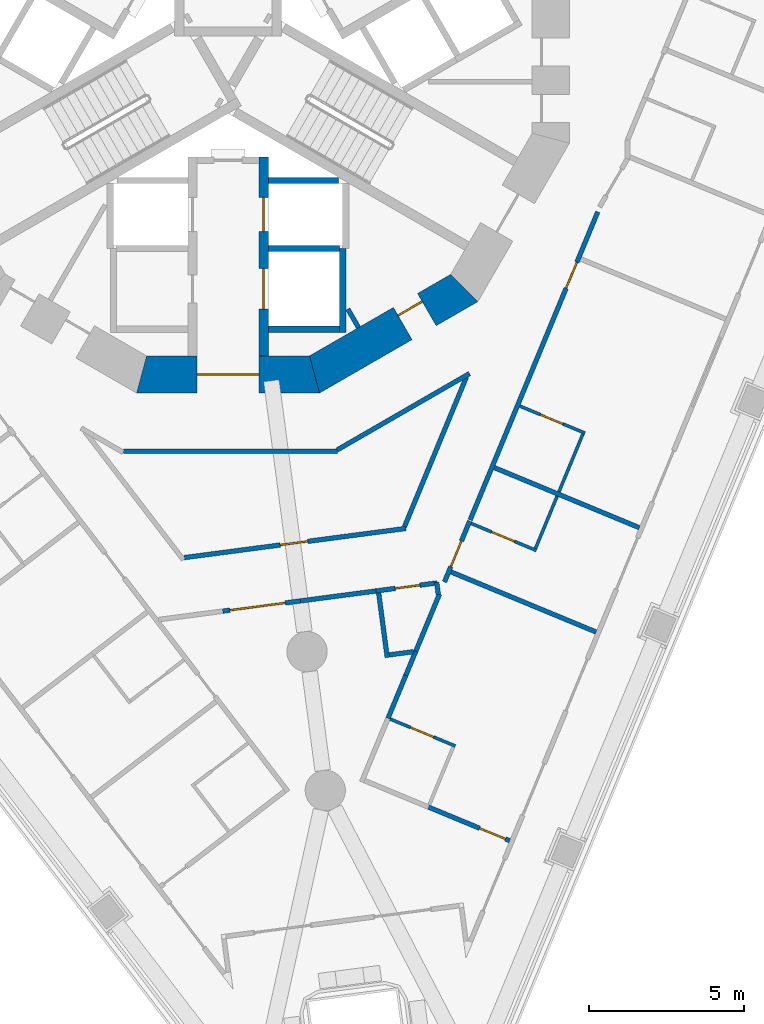
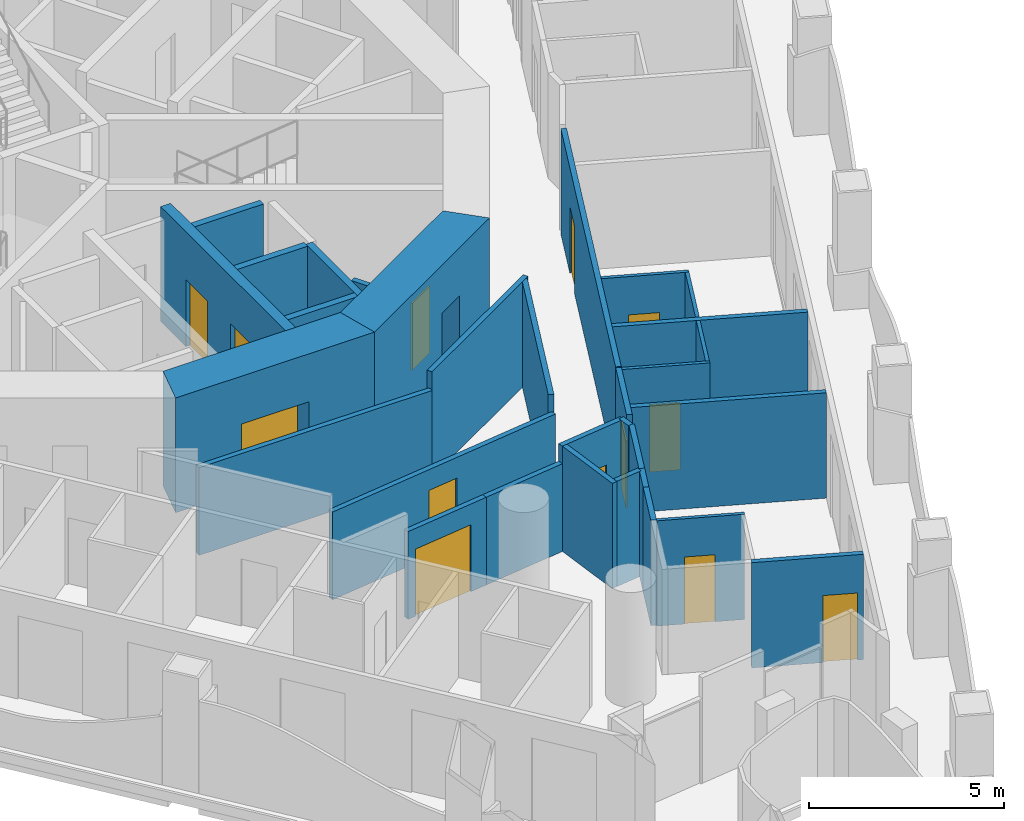
# One storey, part 4 of 19: 31 walls, 13 doors, 13 openings.
"""IFC4 building model written with IfcOpenShell, lengths in metres."""

from ifc_helpers import new_model, si_unit, direction, frame, frame_2d, origin, place, context, subcontext, project, spatial, polyline, rectangle, outline, extrude, material, layer, layer_set, type_object, element, fill, save


model = new_model("IFC4")

# Units and contexts
model_context = context("Model", 3, precision=1e-05, world=origin(), true_north=direction((0.0, 1.0)))
body_context = subcontext(model_context, "Body", "Model", "MODEL_VIEW")
ifc_project = project(units=[si_unit("LENGTHUNIT", "METRE"), si_unit("AREAUNIT", "SQUARE_METRE"), si_unit("VOLUMEUNIT", "CUBIC_METRE"), si_unit("PLANEANGLEUNIT", "RADIAN"), si_unit("MASSUNIT", "GRAM", prefix="KILO")], contexts=[model_context])

# Site, building, storey
site_placement = place(None, origin())
site = spatial("IfcSite", under=ifc_project, at=site_placement, CompositionType="ELEMENT")
building_placement = place(site_placement, origin())
building = spatial("IfcBuilding", under=site, at=building_placement, Name="Trine Commons Tower", CompositionType="ELEMENT")
storey_placement = place(building_placement, frame((0.0, 0.0, 54.0)))
storey = spatial("IfcBuildingStorey", under=building, at=storey_placement, Name="L12", CompositionType="ELEMENT", Elevation=54.0)

# Wall
ifc_material_1 = material(Name="Plasterboard partition on steel studs", Category="steel")
ifc_layer_1 = layer(ifc_material_1, 0.14990234375)
ifc_layer_set_1 = layer_set([ifc_layer_1], Name="Plasterboard partition on steel studs")
wall_type_1 = type_object("IfcWallType", Name="Core room partition 150 mm, EI 60", PredefinedType="PARTITIONING", material=ifc_layer_set_1)
wall_1_placement = place(storey_placement, frame((84.2099609375, 53.60205078125, 0.0), z_axis=(0.0, 0.0, 1.0), x_axis=(-0.500366091518, 0.865813937552, 0.0)))
element("IfcWall", 1, at=wall_1_placement, inside=storey, type_object=wall_type_1, Name="Core room partition L12", PredefinedType="PARTITIONING", context=body_context, shape_type="SweptSolid", body=[
    extrude(rectangle(XDim=0.689453125, YDim=0.14990234375, at=frame_2d((0.3447265625, 0.0))), origin(), (0.0, 0.0, 1.0), 3.300048828125),
])

# Wall, opening, door
ifc_material_2 = material(Name="Concrete C80/95", Category="concrete")
ifc_layer_2 = layer(ifc_material_2, 1.199951171875)
ifc_layer_set_2 = layer_set([ifc_layer_2], Name="Concrete C80/95")
wall_type_2 = type_object("IfcWallType", Name="RC shear wall 1200 mm, C80/95", PredefinedType="SHEAR", material=ifc_layer_set_2)
wall_2_placement = place(storey_placement, frame((77.049560546875, 52.08837890625, 0.0), z_axis=(0.0, 0.0, 1.0), x_axis=(1.0, 0.0, 0.0)))
wall_2 = element("IfcWall", 2, at=wall_2_placement, inside=storey, type_object=wall_type_2, Name="Core wall CWB-10 L12", PredefinedType="SHEAR", context=body_context, shape_type="SweptSolid", body=[
    extrude(outline(polyline([(0.0, -0.60009765625), (5.90087890625, -0.60009765625), (5.57958984375, 0.60009765625), (0.321533203125, 0.60009765625), (0.0, -0.60009765625)])), origin(), (0.0, 0.0, 1.0), 3.60009765625),
])
opening_1_placement = place(wall_2_placement, frame((1.950439453125, 0.0, 0.0)))
opening_1 = element("IfcOpeningElement", 3, at=opening_1_placement, cuts=wall_2, Name="Opening K07.08", PredefinedType="OPENING", context=body_context, shape_type="SweptSolid", body=[
    extrude(rectangle(XDim=2.0, YDim=2.10009765625, at=frame_2d((1.0, 1.050048828125))), frame((0.0, 0.60986328125, 0.0), z_axis=(0.0, -1.0, 0.0), x_axis=(1.0, 0.0, 0.0)), (0.0, 0.0, 1.0), 1.219970703125),
])
ifc_material_3 = material(Name="Steel door leaves, fire-rated", Category="steel")
door_type_1 = type_object("IfcDoorType", Name="Lobby door, double leaf 2000 x 2100, FD60", OperationType="DOUBLE_DOOR_SINGLE_SWING", PredefinedType="DOOR", material=ifc_material_3)
door_1_placement = place(opening_1_placement, origin())
door_1 = element("IfcDoor", 4, at=door_1_placement, inside=storey, type_object=door_type_1, Name="Lobby door, Service and firefighting lobby L12", OperationType="DOUBLE_DOOR_SINGLE_SWING", OverallHeight=2.10009765625, OverallWidth=2.0, PredefinedType="DOOR", context=body_context, shape_type="SweptSolid", body=[
    extrude(rectangle(XDim=2.0, YDim=2.10009765625, at=frame_2d((1.0, 1.050048828125))), frame((0.0, 0.02490234375, 0.0), z_axis=(0.0, -1.0, 0.0), x_axis=(1.0, 0.0, 0.0)), (0.0, 0.0, 1.0), 0.050048828125),
])
fill(opening_1, door_1)

wall_3_placement = place(storey_placement, frame((82.650390625, 52.008056640625, 0.0), z_axis=(0.0, 0.0, 1.0), x_axis=(0.866037463336, 0.499979111662, 0.0)))
wall_3 = element("IfcWall", 5, at=wall_3_placement, inside=storey, type_object=wall_type_2, Name="Core wall CWB-11 L12", PredefinedType="SHEAR", context=body_context, shape_type="SweptSolid", body=[
    extrude(outline(polyline([(0.0, -0.60009765625), (5.901123046875, -0.60009765625), (5.57958984375, 0.60009765625), (0.321533203125, 0.60009765625), (0.0, -0.60009765625)])), origin(), (0.0, 0.0, 1.0), 3.60009765625),
])
opening_2_placement = place(wall_3_placement, frame((3.44677734375, 0.0, 0.0)))
opening_2 = element("IfcOpeningElement", 6, at=opening_2_placement, cuts=wall_3, Name="Opening K07.17", PredefinedType="OPENING", context=body_context, shape_type="SweptSolid", body=[
    extrude(rectangle(XDim=0.89990234375, YDim=2.10009765625, at=frame_2d((0.449951171875, 1.050048828125))), frame((0.0, 0.60986328125, 0.0), z_axis=(0.0, -1.0, 0.0), x_axis=(1.0, 0.0, 0.0)), (0.0, 0.0, 1.0), 1.219970703125),
])
ifc_material_4 = material(Name="Steel door leaf, fire-rated", Category="steel")
door_type_2 = type_object("IfcDoorType", Name="Core room door, single leaf 900 x 2100, FD30S", OperationType="SINGLE_SWING_LEFT", PredefinedType="DOOR", material=ifc_material_4)
door_2_placement = place(opening_2_placement, origin())
door_2 = element("IfcDoor", 7, at=door_2_placement, inside=storey, type_object=door_type_2, Name="Door to Pantry L12", OperationType="SINGLE_SWING_RIGHT", OverallHeight=2.10009765625, OverallWidth=0.89990234375, PredefinedType="DOOR", context=body_context, shape_type="SweptSolid", body=[
    extrude(rectangle(XDim=0.89990234375, YDim=2.10009765625, at=frame_2d((0.449951171875, 1.050048828125))), frame((0.0, 0.3251953125, 0.0), z_axis=(0.0, -1.0, 0.0), x_axis=(1.0, 0.0, 0.0)), (0.0, 0.0, 1.0), 0.050048828125),
])
fill(opening_2, door_2)

# Wall, openings, doors
ifc_layer_3 = layer(ifc_material_2, 0.300048828125)
ifc_layer_set_3 = layer_set([ifc_layer_3], Name="Concrete C80/95")
wall_type_3 = type_object("IfcWallType", Name="RC shear wall 300 mm, C80/95", PredefinedType="SHEAR", material=ifc_layer_set_3)
wall_4_placement = place(storey_placement, frame((81.14990234375, 59.10009765625, 0.0), z_axis=(0.0, 0.0, 1.0), x_axis=(0.0, -1.0, 0.0)))
wall_4 = element("IfcWall", 8, at=wall_4_placement, inside=storey, type_object=wall_type_3, Name="Core cross wall SWA-04 L12", PredefinedType="SHEAR", context=body_context, shape_type="SweptSolid", body=[
    extrude(rectangle(XDim=6.412109375, YDim=0.300048828125, at=frame_2d((3.2060546875, 0.0))), origin(), (0.0, 0.0, 1.0), 3.60009765625),
])
opening_3_placement = place(wall_4_placement, frame((3.60009765625, 0.0, 0.0)))
opening_3 = element("IfcOpeningElement", 9, at=opening_3_placement, cuts=wall_4, Name="Opening LD11", PredefinedType="OPENING", context=body_context, shape_type="SweptSolid", body=[
    extrude(rectangle(XDim=1.300048828125, YDim=2.10009765625, at=frame_2d((0.64990234375, 1.050048828125))), frame((0.0, 0.159912109375, 0.0), z_axis=(0.0, -1.0, 0.0), x_axis=(1.0, 0.0, 0.0)), (0.0, 0.0, 1.0), 0.320068359375),
])
opening_4_placement = place(wall_4_placement, frame((1.300048828125, 0.0, 0.0)))
opening_4 = element("IfcOpeningElement", 10, at=opening_4_placement, cuts=wall_4, Name="Opening LD9", PredefinedType="OPENING", context=body_context, shape_type="SweptSolid", body=[
    extrude(rectangle(XDim=1.10009765625, YDim=2.10009765625, at=frame_2d((0.550048828125, 1.050048828125))), frame((0.0, 0.159912109375, 0.0), z_axis=(0.0, -1.0, 0.0), x_axis=(1.0, 0.0, 0.0)), (0.0, 0.0, 1.0), 0.320068359375),
])
ifc_material_5 = material(Name="Stainless steel sliding door leaves", Category="steel")
door_type_3 = type_object("IfcDoorType", Name="Lift landing door, centre-opening sliding 1100 x 2100, FD90", OperationType="DOUBLE_DOOR_SLIDING", PredefinedType="DOOR", material=ifc_material_5)
door_3_placement = place(opening_4_placement, origin())
door_3 = element("IfcDoor", 11, at=door_3_placement, inside=storey, type_object=door_type_3, Name="Lift landing door FF1 L12", OperationType="DOUBLE_DOOR_SLIDING", OverallHeight=2.10009765625, OverallWidth=1.10009765625, PredefinedType="DOOR", context=body_context, shape_type="SweptSolid", body=[
    extrude(rectangle(XDim=1.10009765625, YDim=2.10009765625, at=frame_2d((0.550048828125, 1.050048828125))), frame((0.0, 0.02490234375, 0.0), z_axis=(0.0, -1.0, 0.0), x_axis=(1.0, 0.0, 0.0)), (0.0, 0.0, 1.0), 0.050048828125),
])
fill(opening_4, door_3)
door_type_4 = type_object("IfcDoorType", Name="Lift landing door, centre-opening sliding 1300 x 2100, FD90", OperationType="DOUBLE_DOOR_SLIDING", PredefinedType="DOOR", material=ifc_material_5)
door_4_placement = place(opening_3_placement, origin())
door_4 = element("IfcDoor", 12, at=door_4_placement, inside=storey, type_object=door_type_4, Name="Lift landing door G1 L12", OperationType="DOUBLE_DOOR_SLIDING", OverallHeight=2.10009765625, OverallWidth=1.300048828125, PredefinedType="DOOR", context=body_context, shape_type="SweptSolid", body=[
    extrude(rectangle(XDim=1.300048828125, YDim=2.10009765625, at=frame_2d((0.64990234375, 1.050048828125))), frame((0.0, 0.02490234375, 0.0), z_axis=(0.0, -1.0, 0.0), x_axis=(1.0, 0.0, 0.0)), (0.0, 0.0, 1.0), 0.050048828125),
])
fill(opening_3, door_4)

# Walls
ifc_material_6 = material(Name="Fire-rated gypsum shaft wall system")
ifc_layer_4 = layer(ifc_material_6, 0.199951171875)
ifc_layer_set_4 = layer_set([ifc_layer_4], Name="Fire-rated gypsum shaft wall system")
wall_type_4 = type_object("IfcWallType", Name="Shaft wall 200 mm, EI 120", PredefinedType="PARTITIONING", material=ifc_layer_set_4)
for number, where, z_axis, x_axis, name in (
    (13, (81.300048828125, 53.550048828125, 0.0), (0.0, 0.0, 1.0), (1.0, 0.0, 0.0), "Shaft wall L12"),
    (14, (81.300048828125, 56.14990234375, 0.0), (0.0, 0.0, 1.0), (1.0, 0.0, 0.0), "Shaft wall L12"),
):
    element("IfcWall", number, at=place(storey_placement, frame(where, z_axis=z_axis, x_axis=x_axis)), inside=storey, type_object=wall_type_4, Name=name, PredefinedType="PARTITIONING", context=body_context, shape_type="SweptSolid", body=[
        extrude(rectangle(XDim=2.300048828125, YDim=0.199951171875, at=frame_2d((1.14990234375, 0.0))), origin(), (0.0, 0.0, 1.0), 3.300048828125),
    ])
wall_5_placement = place(storey_placement, frame((81.300048828125, 58.35009765625, 0.0), z_axis=(0.0, 0.0, 1.0), x_axis=(1.0, 0.0, 0.0)))
element("IfcWall", 15, at=wall_5_placement, inside=storey, type_object=wall_type_4, Name="Shaft wall L12", PredefinedType="PARTITIONING", context=body_context, shape_type="SweptSolid", body=[
    extrude(rectangle(XDim=2.264892578125, YDim=0.199951171875, at=frame_2d((1.13232421875, 0.0))), origin(), (0.0, 0.0, 1.0), 3.300048828125),
])
wall_6_placement = place(storey_placement, frame((83.699951171875, 56.14990234375, 0.0), z_axis=(0.0, 0.0, 1.0), x_axis=(0.0, -1.0, 0.0)))
element("IfcWall", 16, at=wall_6_placement, inside=storey, type_object=wall_type_4, Name="Shaft wall L12", PredefinedType="PARTITIONING", context=body_context, shape_type="SweptSolid", body=[
    extrude(rectangle(XDim=2.699951171875, YDim=0.199951171875, at=frame_2d((1.35009765625, 0.0))), origin(), (0.0, 0.0, 1.0), 3.300048828125),
])
ifc_material_7 = material(Name="Gypsum plasterboard on steel stud", Category="steel")
ifc_layer_5 = layer(ifc_material_7, 0.14990234375)
ifc_layer_set_5 = layer_set([ifc_layer_5], Name="Gypsum plasterboard on steel stud")
wall_type_5 = type_object("IfcWallType", Name="Unit and corridor wall 150 mm, EI 60", PredefinedType="PARTITIONING", material=ifc_layer_set_5)
wall_7_placement = place(storey_placement, frame((76.6220703125, 49.613037109375, 0.0), z_axis=(0.0, 0.0, 1.0), x_axis=(1.0, 0.0, 0.0)))
element("IfcWall", 17, at=wall_7_placement, inside=storey, type_object=wall_type_5, Name="Partition 075", PredefinedType="PARTITIONING", context=body_context, shape_type="SweptSolid", body=[
    extrude(rectangle(XDim=6.906005859375, YDim=0.14990234375, at=frame_2d((3.453125, 0.0))), origin(), (0.0, 0.0, 1.0), 2.75),
])

# Wall, opening, door
wall_8_placement = place(storey_placement, frame((78.58642578125, 46.177734375, 0.0), z_axis=(0.0, 0.0, 1.0), x_axis=(0.991437356371, 0.130583185714, 0.0)))
wall_8 = element("IfcWall", 18, at=wall_8_placement, inside=storey, type_object=wall_type_5, Name="Partition 081", PredefinedType="PARTITIONING", context=body_context, shape_type="SweptSolid", body=[
    extrude(rectangle(XDim=7.21484375, YDim=0.14990234375, at=frame_2d((3.607421875, 0.0))), origin(), (0.0, 0.0, 1.0), 2.75),
])
opening_5_placement = place(wall_8_placement, frame((3.119873046875, 0.0, 0.0)))
opening_5 = element("IfcOpeningElement", 19, at=opening_5_placement, cuts=wall_8, Name="Opening D-2A36", PredefinedType="OPENING", context=body_context, shape_type="SweptSolid", body=[
    extrude(rectangle(XDim=0.89990234375, YDim=2.10009765625, at=frame_2d((0.449951171875, 1.050048828125))), frame((0.0, 0.0849609375, 0.0), z_axis=(0.0, -1.0, 0.0), x_axis=(1.0, 0.0, 0.0)), (0.0, 0.0, 1.0), 0.169921875),
])
ifc_material_8 = material(Name="Timber fire door set", Category="wood")
door_type_5 = type_object("IfcDoorType", Name="Service door 900 x 2100, FD30S", OperationType="NOTDEFINED", PredefinedType="DOOR", material=ifc_material_8)
door_5_placement = place(opening_5_placement, origin())
door_5 = element("IfcDoor", 20, at=door_5_placement, inside=storey, type_object=door_type_5, Name="Door D-2A36", OperationType="SINGLE_SWING_LEFT", OverallHeight=2.10009765625, OverallWidth=0.89990234375, PredefinedType="DOOR", context=body_context, shape_type="SweptSolid", body=[
    extrude(rectangle(XDim=0.89990234375, YDim=2.10009765625, at=frame_2d((0.449951171875, 1.050048828125))), frame((0.0, 0.02490234375, 0.0), z_axis=(0.0, -1.0, 0.0), x_axis=(1.0, 0.0, 0.0)), (0.0, 0.0, 1.0), 0.050048828125),
])
fill(opening_5, door_5)

wall_9_placement = place(storey_placement, frame((79.830078125, 44.450927734375, 0.0), z_axis=(0.0, 0.0, 1.0), x_axis=(0.991466141497, 0.130364451691, 0.0)))
wall_9 = element("IfcWall", 21, at=wall_9_placement, inside=storey, type_object=wall_type_5, Name="Partition 086", PredefinedType="PARTITIONING", context=body_context, shape_type="SweptSolid", body=[
    extrude(rectangle(XDim=2.5244140625, YDim=0.14990234375, at=frame_2d((1.26220703125, 0.0))), origin(), (0.0, 0.0, 1.0), 2.75),
])
opening_6_placement = place(wall_9_placement, frame((0.23486328125, 0.0, 0.0)))
opening_6 = element("IfcOpeningElement", 22, at=opening_6_placement, cuts=wall_9, Name="Opening D-2A02", PredefinedType="OPENING", context=body_context, shape_type="SweptSolid", body=[
    extrude(rectangle(XDim=1.800048828125, YDim=2.10009765625, at=frame_2d((0.89990234375, 1.050048828125))), frame((0.0, 0.0849609375, 0.0), z_axis=(0.0, -1.0, 0.0), x_axis=(1.0, 0.0, 0.0)), (0.0, 0.0, 1.0), 0.169921875),
])
door_type_6 = type_object("IfcDoorType", Name="Cluster entrance door 1800 x 2100, double leaf, FD30S", OperationType="DOUBLE_DOOR_DOUBLE_SWING", PredefinedType="DOOR", material=ifc_material_8)
door_6_placement = place(opening_6_placement, frame((1.800048828125, 0.0, 0.0), z_axis=(0.0, 0.0, 1.0), x_axis=(-1.0, 0.0, 0.0)))
door_6 = element("IfcDoor", 23, at=door_6_placement, inside=storey, type_object=door_type_6, Name="Door D-2A02", OperationType="DOUBLE_DOOR_DOUBLE_SWING", OverallHeight=2.10009765625, OverallWidth=1.800048828125, PredefinedType="DOOR", context=body_context, shape_type="SweptSolid", body=[
    extrude(rectangle(XDim=1.800048828125, YDim=2.10009765625, at=frame_2d((0.89990234375, 1.050048828125))), frame((0.0, 0.02490234375, 0.0), z_axis=(0.0, -1.0, 0.0), x_axis=(1.0, 0.0, 0.0)), (0.0, 0.0, 1.0), 0.050048828125),
])
fill(opening_6, door_6)

# Walls
wall_10_placement = place(storey_placement, frame((82.3330078125, 44.780029296875, 0.0), z_axis=(0.0, 0.0, 1.0), x_axis=(0.991416071527, 0.130744686764, 0.0)))
element("IfcWall", 24, at=wall_10_placement, inside=storey, type_object=wall_type_5, Name="Partition 089", PredefinedType="PARTITIONING", context=body_context, shape_type="SweptSolid", body=[
    extrude(rectangle(XDim=2.524658203125, YDim=0.14990234375, at=frame_2d((1.26220703125, 0.0))), origin(), (0.0, 0.0, 1.0), 2.75),
])
wall_11_placement = place(storey_placement, frame((83.517822265625, 49.650390625, 0.0), z_axis=(0.0, 0.0, 1.0), x_axis=(0.865971288988, 0.500093717866, 0.0)))
element("IfcWall", 25, at=wall_11_placement, inside=storey, type_object=wall_type_5, Name="Partition 092", PredefinedType="PARTITIONING", context=body_context, shape_type="SweptSolid", body=[
    extrude(rectangle(XDim=4.93310546875, YDim=0.14990234375, at=frame_2d((2.466552734375, 0.0))), origin(), (0.0, 0.0, 1.0), 3.300048828125),
])

# Wall, opening, door
wall_12_placement = place(storey_placement, frame((84.772705078125, 45.102294921875, 0.0), z_axis=(0.0, 0.0, 1.0), x_axis=(0.991450105095, 0.130486356022, 0.0)))
wall_12 = element("IfcWall", 26, at=wall_12_placement, inside=storey, type_object=wall_type_5, Name="Partition 096", PredefinedType="PARTITIONING", context=body_context, shape_type="SweptSolid", body=[
    extrude(rectangle(XDim=1.983154296875, YDim=0.14990234375, at=frame_2d((0.99169921875, 0.0))), origin(), (0.0, 0.0, 1.0), 3.300048828125),
])
opening_7_placement = place(wall_12_placement, frame((0.629150390625, 0.0, 0.0)))
opening_7 = element("IfcOpeningElement", 27, at=opening_7_placement, cuts=wall_12, Name="Opening D-2A05", PredefinedType="OPENING", context=body_context, shape_type="SweptSolid", body=[
    extrude(rectangle(XDim=0.800048828125, YDim=2.10009765625, at=frame_2d((0.39990234375, 1.050048828125))), frame((0.0, 0.0849609375, 0.0), z_axis=(0.0, -1.0, 0.0), x_axis=(1.0, 0.0, 0.0)), (0.0, 0.0, 1.0), 0.169921875),
])
ifc_material_9 = material(Name="Painted timber", Category="wood")
door_type_7 = type_object("IfcDoorType", Name="Toilet door 800 x 2100, NOT RATED", OperationType="NOTDEFINED", PredefinedType="DOOR", material=ifc_material_9)
door_7_placement = place(opening_7_placement, frame((0.800048828125, 0.0, 0.0), z_axis=(0.0, 0.0, 1.0), x_axis=(-1.0, 0.0, 0.0)))
door_7 = element("IfcDoor", 28, at=door_7_placement, inside=storey, type_object=door_type_7, Name="Door D-2A05", OperationType="SINGLE_SWING_LEFT", OverallHeight=2.10009765625, OverallWidth=0.800048828125, PredefinedType="DOOR", context=body_context, shape_type="SweptSolid", body=[
    extrude(rectangle(XDim=0.800048828125, YDim=2.10009765625, at=frame_2d((0.39990234375, 1.050048828125))), frame((0.0, 0.02490234375, 0.0), z_axis=(0.0, -1.0, 0.0), x_axis=(1.0, 0.0, 0.0)), (0.0, 0.0, 1.0), 0.050048828125),
])
fill(opening_7, door_7)

# Walls
wall_13_placement = place(storey_placement, frame((84.86083984375, 45.03759765625, 0.0), z_axis=(0.0, 0.0, 1.0), x_axis=(0.130899564309, -0.991395634479, 0.0)))
element("IfcWall", 29, at=wall_13_placement, inside=storey, type_object=wall_type_5, Name="Partition 097", PredefinedType="PARTITIONING", context=body_context, shape_type="SweptSolid", body=[
    extrude(rectangle(XDim=2.10009765625, YDim=0.14990234375, at=frame_2d((1.050048828125, 0.0))), origin(), (0.0, 0.0, 1.0), 3.300048828125),
])
wall_14_placement = place(storey_placement, frame((85.200439453125, 43.039794921875, 0.0), z_axis=(0.0, 0.0, 1.0), x_axis=(0.991515431038, 0.129989038049, 0.0)))
element("IfcWall", 30, at=wall_14_placement, inside=storey, type_object=wall_type_5, Name="Partition 100", PredefinedType="PARTITIONING", context=body_context, shape_type="SweptSolid", body=[
    extrude(rectangle(XDim=0.786865234375, YDim=0.14990234375, at=frame_2d((0.3935546875, 0.0))), origin(), (0.0, 0.0, 1.0), 3.300048828125),
])
wall_15_placement = place(storey_placement, frame((85.160888671875, 40.993896484375, 0.0), z_axis=(0.0, 0.0, 1.0), x_axis=(0.382519732759, 0.923947322118, 0.0)))
element("IfcWall", 31, at=wall_15_placement, inside=storey, type_object=wall_type_5, Name="Partition 101", PredefinedType="PARTITIONING", context=body_context, shape_type="SweptSolid", body=[
    extrude(rectangle(XDim=1.498046875, YDim=0.14990234375, at=frame_2d((0.7490234375, 0.0))), origin(), (0.0, 0.0, 1.0), 3.300048828125),
])
wall_16_placement = place(storey_placement, frame((85.693603515625, 47.17919921875, 0.0), z_axis=(0.0, 0.0, 1.0), x_axis=(0.382564920946, 0.923928612643, 0.0)))
element("IfcWall", 32, at=wall_16_placement, inside=storey, type_object=wall_type_5, Name="Partition 106", PredefinedType="PARTITIONING", context=body_context, shape_type="SweptSolid", body=[
    extrude(rectangle(XDim=5.227294921875, YDim=0.14990234375, at=frame_2d((2.61376953125, 0.0))), origin(), (0.0, 0.0, 1.0), 3.300048828125),
])
wall_17_placement = place(storey_placement, frame((85.73388671875, 42.3779296875, 0.0), z_axis=(0.0, 0.0, 1.0), x_axis=(0.383063523393, 0.923722002036, 0.0)))
element("IfcWall", 33, at=wall_17_placement, inside=storey, type_object=wall_type_5, Name="Partition 107", PredefinedType="PARTITIONING", context=body_context, shape_type="SweptSolid", body=[
    extrude(rectangle(XDim=0.838134765625, YDim=0.14990234375, at=frame_2d((0.4189453125, 0.0))), origin(), (0.0, 0.0, 1.0), 3.300048828125),
])
wall_18_placement = place(storey_placement, frame((86.054931640625, 43.152099609375, 0.0), z_axis=(0.0, 0.0, 1.0), x_axis=(0.382829605696, 0.923818971987, 0.0)))
element("IfcWall", 34, at=wall_18_placement, inside=storey, type_object=wall_type_5, Name="Partition 108", PredefinedType="PARTITIONING", context=body_context, shape_type="SweptSolid", body=[
    extrude(rectangle(XDim=2.00048828125, YDim=0.14990234375, at=frame_2d((1.000244140625, 0.0))), origin(), (0.0, 0.0, 1.0), 3.300048828125),
])

# Wall, opening, door
wall_19_placement = place(storey_placement, frame((86.413818359375, 38.151123046875, 0.0), z_axis=(0.0, 0.0, 1.0), x_axis=(0.923916054036, -0.382595249703, 0.0)))
wall_19 = element("IfcWall", 35, at=wall_19_placement, inside=storey, type_object=wall_type_5, Name="Partition 109", PredefinedType="PARTITIONING", context=body_context, shape_type="SweptSolid", body=[
    extrude(rectangle(XDim=2.893310546875, YDim=0.14990234375, at=frame_2d((1.44677734375, 0.0))), origin(), (0.0, 0.0, 1.0), 3.300048828125),
])
opening_8_placement = place(wall_19_placement, frame((1.84326171875, 0.0, 0.0)))
opening_8 = element("IfcOpeningElement", 36, at=opening_8_placement, cuts=wall_19, Name="Opening D-2A25", PredefinedType="OPENING", context=body_context, shape_type="SweptSolid", body=[
    extrude(rectangle(XDim=0.89990234375, YDim=2.10009765625, at=frame_2d((0.449951171875, 1.050048828125))), frame((0.0, 0.0849609375, 0.0), z_axis=(0.0, -1.0, 0.0), x_axis=(1.0, 0.0, 0.0)), (0.0, 0.0, 1.0), 0.169921875),
])
door_type_8 = type_object("IfcDoorType", Name="Bedroom door 900 x 2100, FD30S", OperationType="NOTDEFINED", PredefinedType="DOOR", material=ifc_material_8)
door_8_placement = place(opening_8_placement, origin())
door_8 = element("IfcDoor", 37, at=door_8_placement, inside=storey, type_object=door_type_8, Name="Door D-2A25", OperationType="SINGLE_SWING_RIGHT", OverallHeight=2.10009765625, OverallWidth=0.89990234375, PredefinedType="DOOR", context=body_context, shape_type="SweptSolid", body=[
    extrude(rectangle(XDim=0.89990234375, YDim=2.10009765625, at=frame_2d((0.449951171875, 1.050048828125))), frame((0.0, 0.02490234375, 0.0), z_axis=(0.0, -1.0, 0.0), x_axis=(1.0, 0.0, 0.0)), (0.0, 0.0, 1.0), 0.050048828125),
])
fill(opening_8, door_8)

# Wall
wall_20_placement = place(storey_placement, frame((86.732177734375, 45.380859375, 0.0), z_axis=(0.0, 0.0, 1.0), x_axis=(0.131843859112, -0.99127049629, 0.0)))
element("IfcWall", 38, at=wall_20_placement, inside=storey, type_object=wall_type_5, Name="Partition 112", PredefinedType="PARTITIONING", context=body_context, shape_type="SweptSolid", body=[
    extrude(rectangle(XDim=0.39990234375, YDim=0.14990234375, at=frame_2d((0.199951171875, 0.0))), origin(), (0.0, 0.0, 1.0), 3.300048828125),
])

# Wall, opening, door
wall_21_placement = place(storey_placement, frame((86.98291015625, 45.39306640625, 0.0), z_axis=(0.0, 0.0, 1.0), x_axis=(0.382618621816, 0.923906375257, 0.0)))
wall_21 = element("IfcWall", 39, at=wall_21_placement, inside=storey, type_object=wall_type_5, Name="Partition 113", PredefinedType="PARTITIONING", context=body_context, shape_type="SweptSolid", body=[
    extrude(rectangle(XDim=2.1279296875, YDim=0.14990234375, at=frame_2d((1.06396484375, 0.0))), origin(), (0.0, 0.0, 1.0), 3.300048828125),
])
opening_9_placement = place(wall_21_placement, frame((0.52978515625, 0.0, 0.0)))
opening_9 = element("IfcOpeningElement", 40, at=opening_9_placement, cuts=wall_21, Name="Opening D-2A24", PredefinedType="OPENING", context=body_context, shape_type="SweptSolid", body=[
    extrude(rectangle(XDim=0.89990234375, YDim=2.10009765625, at=frame_2d((0.449951171875, 1.050048828125))), frame((0.0, 0.0849609375, 0.0), z_axis=(0.0, -1.0, 0.0), x_axis=(1.0, 0.0, 0.0)), (0.0, 0.0, 1.0), 0.169921875),
])
door_9_placement = place(opening_9_placement, frame((0.89990234375, 0.0, 0.0), z_axis=(0.0, 0.0, 1.0), x_axis=(-1.0, 0.0, 0.0)))
door_9 = element("IfcDoor", 41, at=door_9_placement, inside=storey, type_object=door_type_8, Name="Door D-2A24", OperationType="SINGLE_SWING_RIGHT", OverallHeight=2.10009765625, OverallWidth=0.89990234375, PredefinedType="DOOR", context=body_context, shape_type="SweptSolid", body=[
    extrude(rectangle(XDim=0.89990234375, YDim=2.10009765625, at=frame_2d((0.449951171875, 1.050048828125))), frame((0.0, 0.02490234375, 0.0), z_axis=(0.0, -1.0, 0.0), x_axis=(1.0, 0.0, 0.0)), (0.0, 0.0, 1.0), 0.050048828125),
])
fill(opening_9, door_9)

# Wall
wall_22_placement = place(storey_placement, frame((87.197265625, 45.71533203125, 0.0), z_axis=(0.0, 0.0, 1.0), x_axis=(0.923879340067, -0.382683896966, 0.0)))
element("IfcWall", 42, at=wall_22_placement, inside=storey, type_object=wall_type_5, Name="Partition 115", PredefinedType="PARTITIONING", context=body_context, shape_type="SweptSolid", body=[
    extrude(rectangle(XDim=5.064208984375, YDim=0.14990234375, at=frame_2d((2.5322265625, 0.0))), origin(), (0.0, 0.0, 1.0), 3.300048828125),
])

# Wall, opening, door
wall_23_placement = place(storey_placement, frame((87.81103515625, 47.39306640625, 0.0), z_axis=(0.0, 0.0, 1.0), x_axis=(0.382671722525, 0.923884382799, 0.0)))
wall_23 = element("IfcWall", 43, at=wall_23_placement, inside=storey, type_object=wall_type_5, Name="Partition 117", PredefinedType="PARTITIONING", context=body_context, shape_type="SweptSolid", body=[
    extrude(rectangle(XDim=10.760986328125, YDim=0.14990234375, at=frame_2d((5.38037109375, 0.0))), origin(), (0.0, 0.0, 1.0), 3.300048828125),
])
opening_10_placement = place(wall_23_placement, frame((8.09619140625, 0.0, 0.0)))
opening_10 = element("IfcOpeningElement", 44, at=opening_10_placement, cuts=wall_23, Name="Opening D-2A23", PredefinedType="OPENING", context=body_context, shape_type="SweptSolid", body=[
    extrude(rectangle(XDim=0.89990234375, YDim=2.10009765625, at=frame_2d((0.449951171875, 1.050048828125))), frame((0.0, 0.0849609375, 0.0), z_axis=(0.0, -1.0, 0.0), x_axis=(1.0, 0.0, 0.0)), (0.0, 0.0, 1.0), 0.169921875),
])
door_10_placement = place(opening_10_placement, frame((0.89990234375, 0.0, 0.0), z_axis=(0.0, 0.0, 1.0), x_axis=(-1.0, 0.0, 0.0)))
door_10 = element("IfcDoor", 45, at=door_10_placement, inside=storey, type_object=door_type_8, Name="Door D-2A23", OperationType="SINGLE_SWING_LEFT", OverallHeight=2.10009765625, OverallWidth=0.89990234375, PredefinedType="DOOR", context=body_context, shape_type="SweptSolid", body=[
    extrude(rectangle(XDim=0.89990234375, YDim=2.10009765625, at=frame_2d((0.449951171875, 1.050048828125))), frame((0.0, 0.02490234375, 0.0), z_axis=(0.0, -1.0, 0.0), x_axis=(1.0, 0.0, 0.0)), (0.0, 0.0, 1.0), 0.050048828125),
])
fill(opening_10, door_10)

# Wall
wall_24_placement = place(storey_placement, frame((88.59130859375, 49.081298828125, 0.0), z_axis=(0.0, 0.0, 1.0), x_axis=(0.923879340067, -0.382683896966, 0.0)))
element("IfcWall", 46, at=wall_24_placement, inside=storey, type_object=wall_type_5, Name="Partition 118", PredefinedType="PARTITIONING", context=body_context, shape_type="SweptSolid", body=[
    extrude(rectangle(XDim=5.064208984375, YDim=0.14990234375, at=frame_2d((2.5322265625, 0.0))), origin(), (0.0, 0.0, 1.0), 3.300048828125),
])

# Wall, opening, door
ifc_layer_6 = layer(ifc_material_7, 0.10009765625)
ifc_layer_set_6 = layer_set([ifc_layer_6], Name="Gypsum plasterboard on steel stud")
wall_type_6 = type_object("IfcWallType", Name="Unit partition 100 mm, no rating", PredefinedType="PARTITIONING", material=ifc_layer_set_6)
wall_25_placement = place(storey_placement, frame((85.231201171875, 40.96923828125, 0.0), z_axis=(0.0, 0.0, 1.0), x_axis=(0.923931833824, -0.382557141415, 0.0)))
wall_25 = element("IfcWall", 47, at=wall_25_placement, inside=storey, type_object=wall_type_6, Name="Partition 103", PredefinedType="PARTITIONING", context=body_context, shape_type="SweptSolid", body=[
    extrude(rectangle(XDim=2.275146484375, YDim=0.10009765625, at=frame_2d((1.1376953125, 0.0))), origin(), (0.0, 0.0, 1.0), 3.300048828125),
])
opening_11_placement = place(wall_25_placement, frame((0.71240234375, 0.0, 0.0)))
opening_11 = element("IfcOpeningElement", 48, at=opening_11_placement, cuts=wall_25, Name="Opening D-2A56", PredefinedType="OPENING", context=body_context, shape_type="SweptSolid", body=[
    extrude(rectangle(XDim=0.800048828125, YDim=2.10009765625, at=frame_2d((0.39990234375, 1.050048828125))), frame((0.0, 0.06005859375, 0.0), z_axis=(0.0, -1.0, 0.0), x_axis=(1.0, 0.0, 0.0)), (0.0, 0.0, 1.0), 0.1201171875),
])
door_type_9 = type_object("IfcDoorType", Name="Internal door 800 x 2100, NOT RATED", OperationType="NOTDEFINED", PredefinedType="DOOR", material=ifc_material_9)
door_11_placement = place(opening_11_placement, origin())
door_11 = element("IfcDoor", 49, at=door_11_placement, inside=storey, type_object=door_type_9, Name="Door D-2A56", OperationType="SINGLE_SWING_LEFT", OverallHeight=2.10009765625, OverallWidth=0.800048828125, PredefinedType="DOOR", context=body_context, shape_type="SweptSolid", body=[
    extrude(rectangle(XDim=0.800048828125, YDim=2.10009765625, at=frame_2d((0.39990234375, 1.050048828125))), frame((0.0, 0.02490234375, 0.0), z_axis=(0.0, -1.0, 0.0), x_axis=(1.0, 0.0, 0.0)), (0.0, 0.0, 1.0), 0.050048828125),
])
fill(opening_11, door_11)

wall_26_placement = place(storey_placement, frame((87.84521484375, 47.2802734375, 0.0), z_axis=(0.0, 0.0, 1.0), x_axis=(0.92378006954, -0.382923469012, 0.0)))
wall_26 = element("IfcWall", 50, at=wall_26_placement, inside=storey, type_object=wall_type_6, Name="Partition 116", PredefinedType="PARTITIONING", context=body_context, shape_type="SweptSolid", body=[
    extrude(rectangle(XDim=2.275390625, YDim=0.10009765625, at=frame_2d((1.1376953125, 0.0))), origin(), (0.0, 0.0, 1.0), 3.300048828125),
])
opening_12_placement = place(wall_26_placement, frame((0.712646484375, 0.0, 0.0)))
opening_12 = element("IfcOpeningElement", 51, at=opening_12_placement, cuts=wall_26, Name="Opening D-2A55", PredefinedType="OPENING", context=body_context, shape_type="SweptSolid", body=[
    extrude(rectangle(XDim=0.800048828125, YDim=2.10009765625, at=frame_2d((0.39990234375, 1.050048828125))), frame((0.0, 0.06005859375, 0.0), z_axis=(0.0, -1.0, 0.0), x_axis=(1.0, 0.0, 0.0)), (0.0, 0.0, 1.0), 0.1201171875),
])
door_12_placement = place(opening_12_placement, frame((0.800048828125, 0.0, 0.0), z_axis=(0.0, 0.0, 1.0), x_axis=(-1.0, 0.0, 0.0)))
door_12 = element("IfcDoor", 52, at=door_12_placement, inside=storey, type_object=door_type_9, Name="Door D-2A55", OperationType="SINGLE_SWING_RIGHT", OverallHeight=2.10009765625, OverallWidth=0.800048828125, PredefinedType="DOOR", context=body_context, shape_type="SweptSolid", body=[
    extrude(rectangle(XDim=0.800048828125, YDim=2.10009765625, at=frame_2d((0.39990234375, 1.050048828125))), frame((0.0, 0.02490234375, 0.0), z_axis=(0.0, -1.0, 0.0), x_axis=(1.0, 0.0, 0.0)), (0.0, 0.0, 1.0), 0.050048828125),
])
fill(opening_12, door_12)

wall_27_placement = place(storey_placement, frame((89.414306640625, 51.0673828125, 0.0), z_axis=(0.0, 0.0, 1.0), x_axis=(0.923916126796, -0.382595073996, 0.0)))
wall_27 = element("IfcWall", 53, at=wall_27_placement, inside=storey, type_object=wall_type_6, Name="Partition 121", PredefinedType="PARTITIONING", context=body_context, shape_type="SweptSolid", body=[
    extrude(rectangle(XDim=2.27490234375, YDim=0.10009765625, at=frame_2d((1.137451171875, 0.0))), origin(), (0.0, 0.0, 1.0), 3.300048828125),
])
opening_13_placement = place(wall_27_placement, frame((0.71240234375, 0.0, 0.0)))
opening_13 = element("IfcOpeningElement", 54, at=opening_13_placement, cuts=wall_27, Name="Opening D-2A54", PredefinedType="OPENING", context=body_context, shape_type="SweptSolid", body=[
    extrude(rectangle(XDim=0.800048828125, YDim=2.10009765625, at=frame_2d((0.39990234375, 1.050048828125))), frame((0.0, 0.06005859375, 0.0), z_axis=(0.0, -1.0, 0.0), x_axis=(1.0, 0.0, 0.0)), (0.0, 0.0, 1.0), 0.1201171875),
])
door_13_placement = place(opening_13_placement, origin())
door_13 = element("IfcDoor", 55, at=door_13_placement, inside=storey, type_object=door_type_9, Name="Door D-2A54", OperationType="SINGLE_SWING_LEFT", OverallHeight=2.10009765625, OverallWidth=0.800048828125, PredefinedType="DOOR", context=body_context, shape_type="SweptSolid", body=[
    extrude(rectangle(XDim=0.800048828125, YDim=2.10009765625, at=frame_2d((0.39990234375, 1.050048828125))), frame((0.0, 0.02490234375, 0.0), z_axis=(0.0, -1.0, 0.0), x_axis=(1.0, 0.0, 0.0)), (0.0, 0.0, 1.0), 0.050048828125),
])
fill(opening_13, door_13)

# Walls
wall_28_placement = place(storey_placement, frame((89.920166015625, 46.47412109375, 0.0), z_axis=(0.0, 0.0, 1.0), x_axis=(0.382525049986, 0.923945120737, 0.0)))
element("IfcWall", 56, at=wall_28_placement, inside=storey, type_object=wall_type_6, Name="Partition 123", PredefinedType="PARTITIONING", context=body_context, shape_type="SweptSolid", body=[
    extrude(rectangle(XDim=1.825439453125, YDim=0.10009765625, at=frame_2d((0.91259765625, 0.0))), origin(), (0.0, 0.0, 1.0), 3.300048828125),
])
wall_29_placement = place(storey_placement, frame((90.67578125, 48.29931640625, 0.0), z_axis=(0.0, 0.0, 1.0), x_axis=(0.382816773578, 0.923824289498, 0.0)))
element("IfcWall", 57, at=wall_29_placement, inside=storey, type_object=wall_type_6, Name="Partition 126", PredefinedType="PARTITIONING", context=body_context, shape_type="SweptSolid", body=[
    extrude(rectangle(XDim=2.02490234375, YDim=0.10009765625, at=frame_2d((1.012451171875, 0.0))), origin(), (0.0, 0.0, 1.0), 3.300048828125),
])

save(model, "model.ifc")
